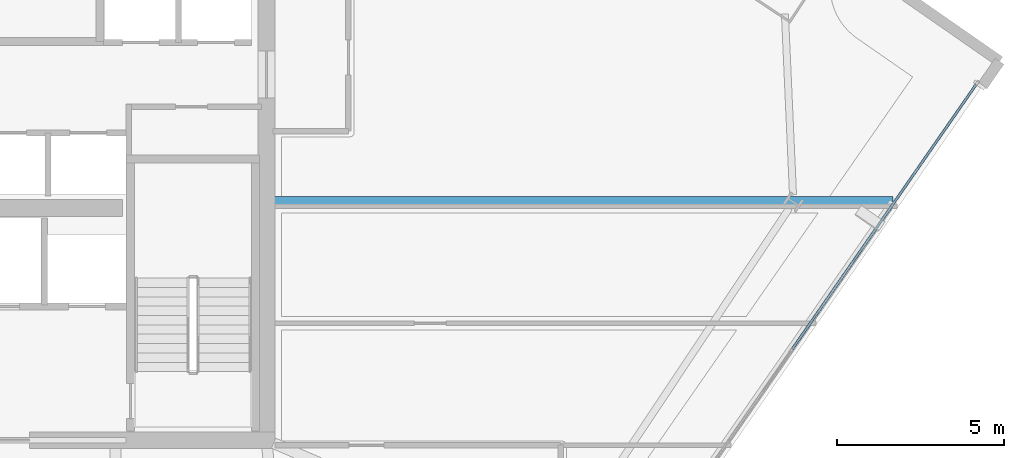
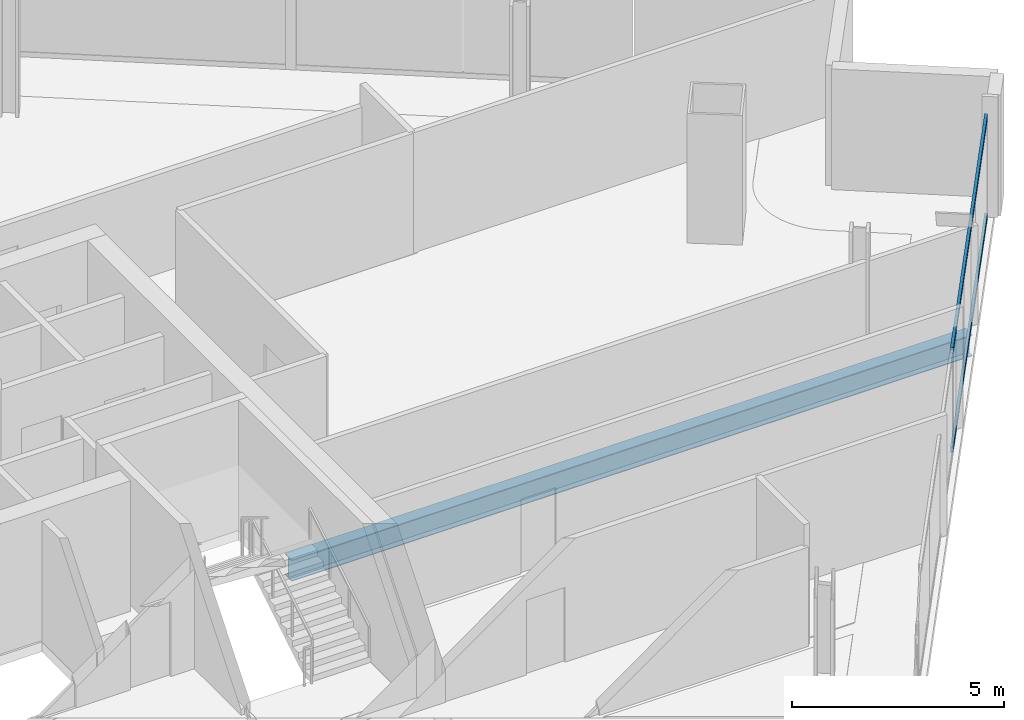
# One storey, part 13 of 30: 2 members, 1 beam, 1 element without a shape of its own.
"""IFC4 building model written with IfcOpenShell, lengths in metres."""

from ifc_helpers import new_model, si_unit, direction, frame, origin, origin_2d, place, context, subcontext, project, spatial, hollow_rectangle, i_section, extrude, material, material_profile, profile_set, type_object, element, aggregate, save


model = new_model("IFC4")

# Units and contexts
model_context = context("Model", 3, precision=1e-05, world=origin(), true_north=direction((0.0, 1.0)))
body_context = subcontext(model_context, "Body", "Model", "MODEL_VIEW")
ifc_project = project(units=[si_unit("LENGTHUNIT", "METRE"), si_unit("AREAUNIT", "SQUARE_METRE"), si_unit("VOLUMEUNIT", "CUBIC_METRE"), si_unit("PLANEANGLEUNIT", "RADIAN"), si_unit("MASSUNIT", "GRAM", prefix="KILO")], contexts=[model_context])

# Site, building, storey
site_placement = place(None, origin())
site = spatial("IfcSite", under=ifc_project, at=site_placement, CompositionType="ELEMENT")
building_placement = place(site_placement, origin())
building = spatial("IfcBuilding", under=site, at=building_placement, Name="Haldenkirk Collegiate Tower", CompositionType="ELEMENT")
storey_placement = place(building_placement, frame((0.0, 0.0, 213.449951171875)))
storey = spatial("IfcBuildingStorey", under=building, at=storey_placement, Name="L53", CompositionType="ELEMENT", Elevation=213.449951171875)

# Beam
ifc_material_1 = material(Name="Steel ASTM A992 Grade 50", Category="steel")
ifc_material_profile_1 = material_profile(ifc_material_1, i_section(OverallWidth=0.324951171875, OverallDepth=0.615966796875, WebThickness=0.013916015625, FlangeThickness=0.021484375, at=origin_2d()), Name="W24X117")
ifc_profile_set_1 = profile_set([ifc_material_profile_1], Name="Steel ASTM A992 Grade 50")
beam_type = type_object("IfcBeamType", Name="BM-GIRDER-W24X117", PredefinedType="BEAM", material=ifc_profile_set_1)
beam_placement = place(storey_placement, frame((63.743408203125, 25.12646484375, -0.587890625), z_axis=(-1.0, 0.0, 0.0), x_axis=(0.0, -1.0, 0.0)))
element("IfcBeam", 1, at=beam_placement, inside=storey, type_object=beam_type, Name="L53 primary floor girder 07", PredefinedType="BEAM", context=body_context, shape_type="SweptSolid", body=[
    extrude(i_section(OverallWidth=0.324951171875, OverallDepth=0.615966796875, WebThickness=0.013916015625, FlangeThickness=0.021484375, at=origin_2d()), origin(), (0.0, 0.0, 1.0), 18.513427734375),
])

# Curtain wall, members
ifc_material_2 = material(Name="Anodised architectural bronze aluminium", Category="aluminium")
curtain_wall_type = type_object("IfcCurtainWallType", Name="CW-SYS2-CONCAVE", PredefinedType="USERDEFINED", material=ifc_material_2)
curtain_wall_placement = place(storey_placement, origin())
curtain_wall = element("IfcCurtainWall", 2, at=curtain_wall_placement, inside=storey, type_object=curtain_wall_type, Name="L53 South concave recessed bronze-anodised curtain wall", ObjectType="UNITISED CURTAIN WALL", PredefinedType="USERDEFINED")
ifc_material_profile_2 = material_profile(ifc_material_2, hollow_rectangle(XDim=0.074951171875, YDim=0.159912109375, WallThickness=0.0048828125, at=origin_2d()), Name="CW-TRN-02")
ifc_profile_set_2 = profile_set([ifc_material_profile_2], Name="Anodised architectural bronze aluminium")
member_type = type_object("IfcMemberType", Name="CW-TRN-02", PredefinedType="USERDEFINED", material=ifc_profile_set_2)
member_1_placement = place(storey_placement, frame((66.2353515625, 28.641845703125, 0.03759765625), z_axis=(-0.570713364579, -0.821149350296, 0.0), x_axis=(0.821149350296, -0.570713364579, 0.0)))
member_1 = element("IfcMember", 3, at=member_1_placement, type_object=member_type, Name="CW-02 transom 1.1", ObjectType="TRANSOM", PredefinedType="USERDEFINED", context=body_context, shape_type="SweptSolid", body=[
    extrude(hollow_rectangle(XDim=0.074951171875, YDim=0.159912109375, WallThickness=0.0048828125, at=origin_2d()), origin(), (0.0, 0.0, 1.0), 9.637451171875),
])
member_2_placement = place(storey_placement, frame((66.2353515625, 28.641845703125, 2.890625), z_axis=(-0.570713364579, -0.821149350296, 0.0), x_axis=(0.821149350296, -0.570713364579, 0.0)))
member_2 = element("IfcMember", 4, at=member_2_placement, type_object=member_type, Name="CW-02 transom 1.2", ObjectType="TRANSOM", PredefinedType="USERDEFINED", context=body_context, shape_type="SweptSolid", body=[
    extrude(hollow_rectangle(XDim=0.074951171875, YDim=0.159912109375, WallThickness=0.0048828125, at=origin_2d()), origin(), (0.0, 0.0, 1.0), 9.637451171875),
])
aggregate(curtain_wall, [member_1, member_2])

save(model, "model.ifc")
